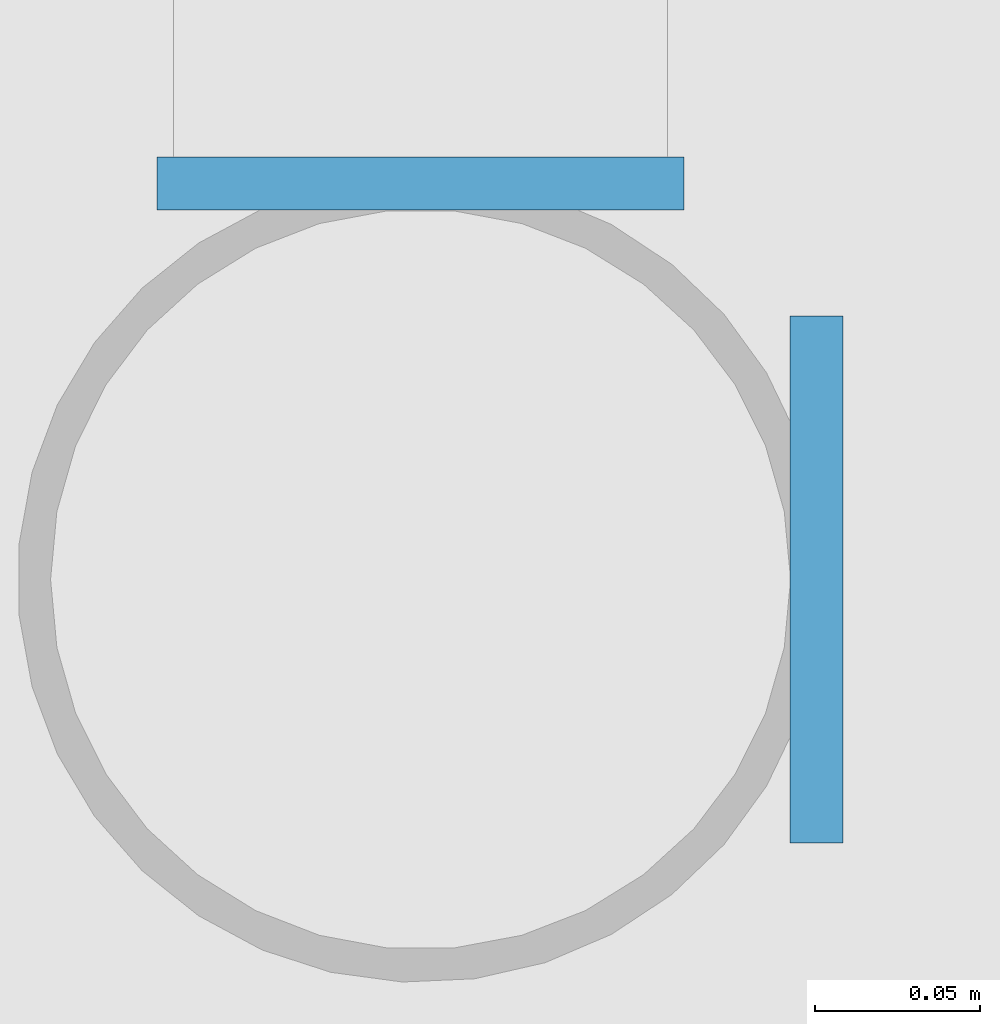
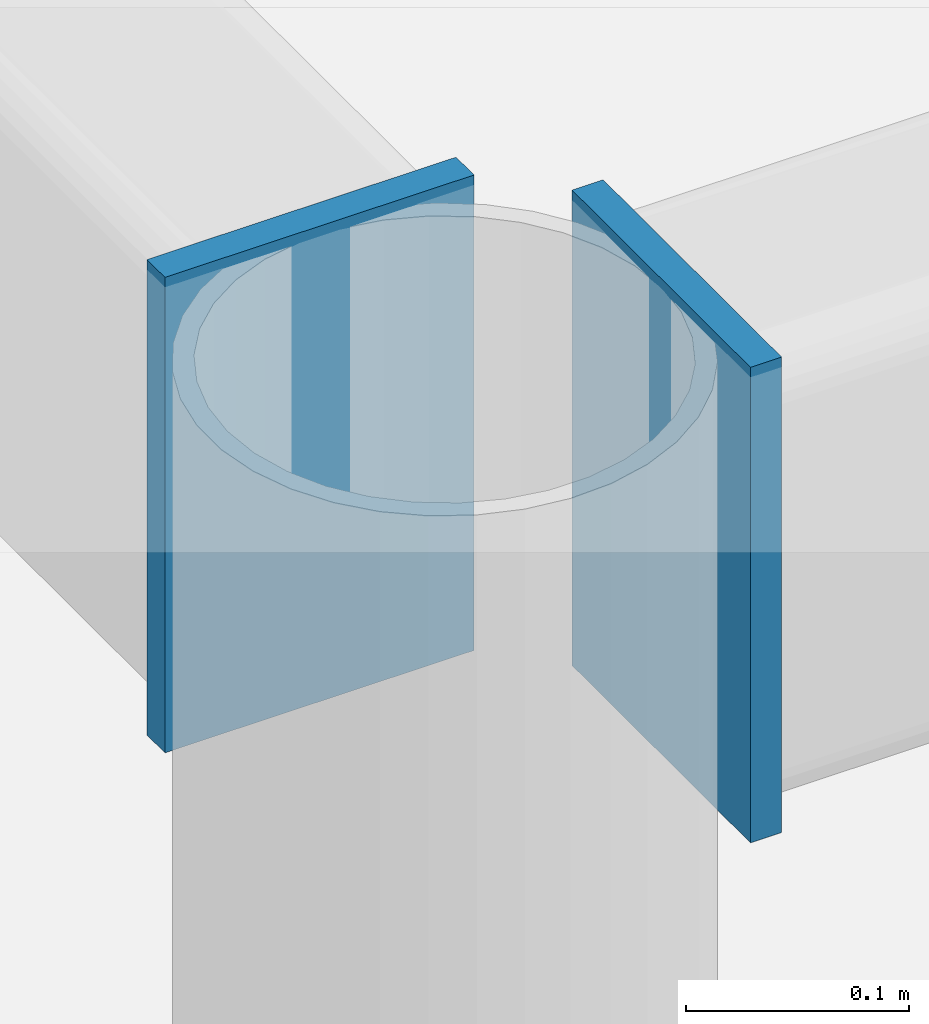
# One storey, part 39 of 76: 2 plates.
"""IFC4 building model written with IfcOpenShell, lengths in metres."""

from ifc_helpers import new_model, si_unit, direction, frame, origin, origin_2d, place, context, subcontext, project, spatial, rectangle, extrude, material, layer, layer_set, type_object, element, save


model = new_model("IFC4")

# Units and contexts
model_context = context("Model", 3, precision=1e-05, world=origin(), true_north=direction((0.0, 1.0)))
body_context = subcontext(model_context, "Body", "Model", "MODEL_VIEW")
ifc_project = project(units=[si_unit("LENGTHUNIT", "METRE"), si_unit("AREAUNIT", "SQUARE_METRE"), si_unit("VOLUMEUNIT", "CUBIC_METRE"), si_unit("PLANEANGLEUNIT", "RADIAN"), si_unit("MASSUNIT", "GRAM", prefix="KILO")], contexts=[model_context])

# Site, building, storey
site_placement = place(None, origin())
site = spatial("IfcSite", under=ifc_project, at=site_placement, CompositionType="ELEMENT")
building_placement = place(site_placement, origin())
building = spatial("IfcBuilding", under=site, at=building_placement, Name="Bozkorgan Art Gallery", CompositionType="ELEMENT")
storey_placement = place(building_placement, origin())
storey = spatial("IfcBuildingStorey", under=building, at=storey_placement, Name="L00", CompositionType="ELEMENT", Elevation=0.0)

# Plates
ifc_material = material(Name="Steel S355J2", Category="steel")
ifc_layer = layer(ifc_material, 0.01611328125, Name="Steel S355J2")
ifc_layer_set = layer_set([ifc_layer], Name="Steel S355J2")
plate_type = type_object("IfcPlateType", Name="PLATE-EC-14", PredefinedType="USERDEFINED", material=ifc_layer_set)
for number, where, z_axis, x_axis, name in (
    (1, (85.1201171875, 31.199951171875, 4.044921875), (0.0, 0.0, 1.0), (1.0, 0.0, 0.0), "Auditorium Foyer Covered Walk chord end cap 1.1"),
    (2, (85.0, 31.320068359375, 4.044921875), (0.0, 0.0, 1.0), (0.0, -1.0, 0.0), "Auditorium Foyer Covered Walk chord end cap 4.2"),
):
    element("IfcPlate", number, at=place(storey_placement, frame(where, z_axis=z_axis, x_axis=x_axis)), inside=storey, type_object=plate_type, Name=name, ObjectType="END CAP PLATE", PredefinedType="USERDEFINED", context=body_context, shape_type="SweptSolid", body=[
        extrude(rectangle(XDim=0.01611328125, YDim=0.159912109375, at=origin_2d()), origin(), (0.0, 0.0, 1.0), 0.260009765625),
    ])

save(model, "model.ifc")
